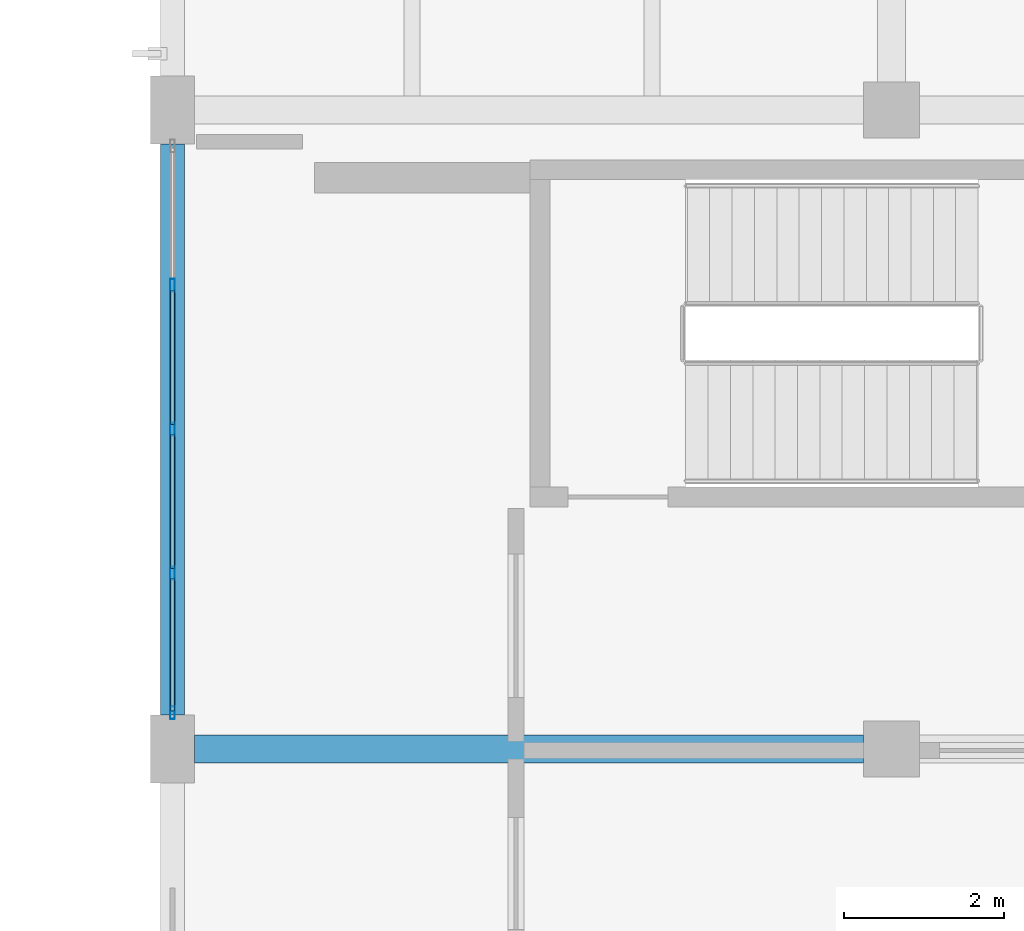
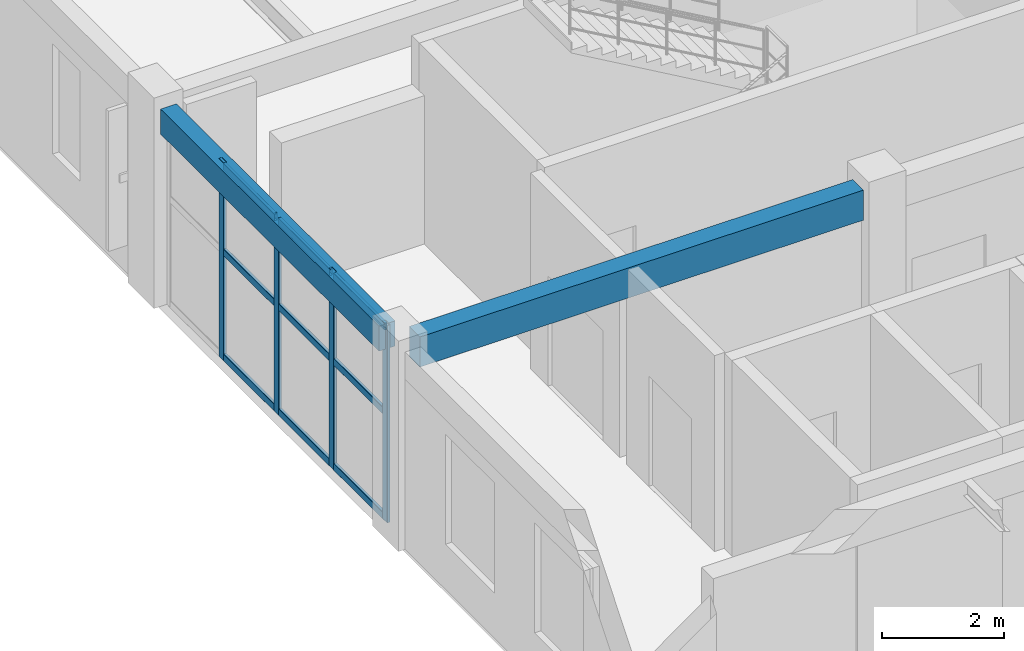
# One storey, part 35 of 71: 13 members, 2 beams, 1 element without a shape of its own.
"""IFC4 building model written with IfcOpenShell, lengths in metres."""

from ifc_helpers import new_model, si_unit, derived_unit, direction, frame, origin, origin_2d, place, context, subcontext, project, spatial, rectangle, hollow_rectangle, extrude, material, material_profile, profile_set, type_object, element, aggregate, save


model = new_model("IFC4")

# Units and contexts
model_context = context("Model", 3, precision=1e-05, world=origin(), true_north=direction((0.0, 1.0)))
body_context = subcontext(model_context, "Body", "Model", "MODEL_VIEW")
ifc_project = project(units=[si_unit("LENGTHUNIT", "METRE"), si_unit("AREAUNIT", "SQUARE_METRE"), si_unit("VOLUMEUNIT", "CUBIC_METRE"), si_unit("PLANEANGLEUNIT", "RADIAN"), si_unit("MASSUNIT", "GRAM", prefix="KILO"), derived_unit("THERMALTRANSMITTANCEUNIT", [(si_unit("MASSUNIT", "GRAM", prefix="KILO"), 1), (si_unit("TIMEUNIT", "SECOND"), -3), (si_unit("THERMODYNAMICTEMPERATUREUNIT", "KELVIN"), -1)])], contexts=[model_context])

# Site, building, storey
site_placement = place(None, origin())
site = spatial("IfcSite", under=ifc_project, at=site_placement, CompositionType="ELEMENT")
building_placement = place(site_placement, origin())
building = spatial("IfcBuilding", under=site, at=building_placement, Name="Zhenchuan Archway Interchange", CompositionType="ELEMENT")
storey_placement = place(building_placement, frame((0.0, 0.0, 18.60009765625)))
storey = spatial("IfcBuildingStorey", under=building, at=storey_placement, Name="L04", CompositionType="ELEMENT", Elevation=18.60009765625)

# Beam
ifc_material_1 = material(Name="Concrete C40", Category="concrete")
ifc_material_profile_1 = material_profile(ifc_material_1, rectangle(XDim=0.35009765625, YDim=0.60009765625, at=origin_2d()), Name="RC 350x600")
ifc_profile_set_1 = profile_set([ifc_material_profile_1], Name="Concrete C40")
beam_type_1 = type_object("IfcBeamType", Name="BM_RC_350x600", PredefinedType="BEAM", material=ifc_profile_set_1)
beam_1_placement = place(storey_placement, frame((144.27490234375, 56.0, 3.639892578125), z_axis=(1.0, 0.0, 0.0), x_axis=(0.0, 1.0, 0.0)))
element("IfcBeam", 1, at=beam_1_placement, inside=storey, type_object=beam_type_1, Name="Beam H:17-18 (L04)", PredefinedType="BEAM", context=body_context, shape_type="SweptSolid", body=[
    extrude(rectangle(XDim=0.35009765625, YDim=0.60009765625, at=origin_2d()), origin(), (0.0, 0.0, 1.0), 8.375),
])

# Curtain wall, members
ifc_material_2 = material(Name="Anodised Aluminium", Category="aluminium")
curtain_wall_type = type_object("IfcCurtainWallType", Name="CW_UNIT_4", PredefinedType="NOTDEFINED", material=ifc_material_2)
curtain_wall_placement = place(storey_placement, origin())
curtain_wall = element("IfcCurtainWall", 2, at=curtain_wall_placement, inside=storey, type_object=curtain_wall_type, Name="Unitised curtain wall CW:L04:191", PredefinedType="NOTDEFINED")
ifc_material_profile_2 = material_profile(ifc_material_2, hollow_rectangle(XDim=0.06005859375, YDim=0.159912109375, WallThickness=0.00390625, InnerFilletRadius=0.00390625, OuterFilletRadius=0.008056640625, at=origin_2d()), Name="ALU 160x60x4")
ifc_profile_set_2 = profile_set([ifc_material_profile_2], Name="Anodised Aluminium")
member_type_1 = type_object("IfcMemberType", Name="CW_MUL_150", PredefinedType="MULLION", material=ifc_profile_set_2)
member_1_placement = place(storey_placement, frame((144.0, 56.452880859375, 0.0), z_axis=(0.0, 0.0, 1.0), x_axis=(1.0, 0.0, 0.0)))
member_1 = element("IfcMember", 3, at=member_1_placement, type_object=member_type_1, Name="CW:L04:191 mullion 0", PredefinedType="MULLION", context=body_context, shape_type="SweptSolid", body=[
    extrude(hollow_rectangle(XDim=0.06005859375, YDim=0.159912109375, WallThickness=0.00390625, InnerFilletRadius=0.00390625, OuterFilletRadius=0.008056640625, at=origin_2d()), origin(), (0.0, 0.0, 1.0), 3.93994140625),
])
member_2_placement = place(storey_placement, frame((144.0, 58.196533203125, 0.0), z_axis=(0.0, 0.0, 1.0), x_axis=(1.0, 0.0, 0.0)))
member_2 = element("IfcMember", 4, at=member_2_placement, type_object=member_type_1, Name="CW:L04:191 mullion 1", PredefinedType="MULLION", context=body_context, shape_type="SweptSolid", body=[
    extrude(hollow_rectangle(XDim=0.06005859375, YDim=0.159912109375, WallThickness=0.00390625, InnerFilletRadius=0.00390625, OuterFilletRadius=0.008056640625, at=origin_2d()), origin(), (0.0, 0.0, 1.0), 3.93994140625),
])
member_3_placement = place(storey_placement, frame((144.0, 60.0, 0.0), z_axis=(0.0, 0.0, 1.0), x_axis=(1.0, 0.0, 0.0)))
member_3 = element("IfcMember", 5, at=member_3_placement, type_object=member_type_1, Name="CW:L04:191 mullion 2", PredefinedType="MULLION", context=body_context, shape_type="SweptSolid", body=[
    extrude(hollow_rectangle(XDim=0.06005859375, YDim=0.159912109375, WallThickness=0.00390625, InnerFilletRadius=0.00390625, OuterFilletRadius=0.008056640625, at=origin_2d()), origin(), (0.0, 0.0, 1.0), 3.93994140625),
])
member_4_placement = place(storey_placement, frame((144.0, 61.803466796875, 0.0), z_axis=(0.0, 0.0, 1.0), x_axis=(1.0, 0.0, 0.0)))
member_4 = element("IfcMember", 6, at=member_4_placement, type_object=member_type_1, Name="CW:L04:191 mullion 3", PredefinedType="MULLION", context=body_context, shape_type="SweptSolid", body=[
    extrude(hollow_rectangle(XDim=0.06005859375, YDim=0.159912109375, WallThickness=0.00390625, InnerFilletRadius=0.00390625, OuterFilletRadius=0.008056640625, at=origin_2d()), origin(), (0.0, 0.0, 1.0), 3.93994140625),
])
ifc_material_profile_3 = material_profile(ifc_material_2, hollow_rectangle(XDim=0.06005859375, YDim=0.139892578125, WallThickness=0.00341796875, InnerFilletRadius=0.00341796875, OuterFilletRadius=0.007080078125, at=origin_2d()), Name="ALU 140x60x3.5")
ifc_profile_set_3 = profile_set([ifc_material_profile_3], Name="Anodised Aluminium")
member_type_2 = type_object("IfcMemberType", Name="CW_TRN_140", PredefinedType="USERDEFINED", material=ifc_profile_set_3)
member_5_placement = place(storey_placement, frame((144.0, 56.472900390625, 0.059814453125), z_axis=(0.0, 1.0, 0.0), x_axis=(-1.0, 0.0, 0.0)))
member_5 = element("IfcMember", 7, at=member_5_placement, type_object=member_type_2, Name="CW:L04:191 transom 0-1", ObjectType="TRANSOM", PredefinedType="USERDEFINED", context=body_context, shape_type="SweptSolid", body=[
    extrude(hollow_rectangle(XDim=0.06005859375, YDim=0.139892578125, WallThickness=0.00341796875, InnerFilletRadius=0.00341796875, OuterFilletRadius=0.007080078125, at=origin_2d()), origin(), (0.0, 0.0, 1.0), 1.66357421875),
])
member_6_placement = place(storey_placement, frame((144.0, 56.472900390625, 2.156005859375), z_axis=(0.0, 1.0, 0.0), x_axis=(-1.0, 0.0, 0.0)))
member_6 = element("IfcMember", 8, at=member_6_placement, type_object=member_type_2, Name="CW:L04:191 transom 0-2", ObjectType="TRANSOM", PredefinedType="USERDEFINED", context=body_context, shape_type="SweptSolid", body=[
    extrude(hollow_rectangle(XDim=0.06005859375, YDim=0.139892578125, WallThickness=0.00341796875, InnerFilletRadius=0.00341796875, OuterFilletRadius=0.007080078125, at=origin_2d()), origin(), (0.0, 0.0, 1.0), 1.66357421875),
])
member_7_placement = place(storey_placement, frame((144.0, 56.472900390625, 3.85986328125), z_axis=(0.0, 1.0, 0.0), x_axis=(-1.0, 0.0, 0.0)))
member_7 = element("IfcMember", 9, at=member_7_placement, type_object=member_type_2, Name="CW:L04:191 transom 0-3", ObjectType="TRANSOM", PredefinedType="USERDEFINED", context=body_context, shape_type="SweptSolid", body=[
    extrude(hollow_rectangle(XDim=0.06005859375, YDim=0.139892578125, WallThickness=0.00341796875, InnerFilletRadius=0.00341796875, OuterFilletRadius=0.007080078125, at=origin_2d()), origin(), (0.0, 0.0, 1.0), 1.66357421875),
])
member_8_placement = place(storey_placement, frame((144.0, 58.256591796875, 0.059814453125), z_axis=(0.0, 1.0, 0.0), x_axis=(-1.0, 0.0, 0.0)))
member_8 = element("IfcMember", 10, at=member_8_placement, type_object=member_type_2, Name="CW:L04:191 transom 1-1", ObjectType="TRANSOM", PredefinedType="USERDEFINED", context=body_context, shape_type="SweptSolid", body=[
    extrude(hollow_rectangle(XDim=0.06005859375, YDim=0.139892578125, WallThickness=0.00341796875, InnerFilletRadius=0.00341796875, OuterFilletRadius=0.007080078125, at=origin_2d()), origin(), (0.0, 0.0, 1.0), 1.683349609375),
])
member_9_placement = place(storey_placement, frame((144.0, 58.256591796875, 2.156005859375), z_axis=(0.0, 1.0, 0.0), x_axis=(-1.0, 0.0, 0.0)))
member_9 = element("IfcMember", 11, at=member_9_placement, type_object=member_type_2, Name="CW:L04:191 transom 1-2", ObjectType="TRANSOM", PredefinedType="USERDEFINED", context=body_context, shape_type="SweptSolid", body=[
    extrude(hollow_rectangle(XDim=0.06005859375, YDim=0.139892578125, WallThickness=0.00341796875, InnerFilletRadius=0.00341796875, OuterFilletRadius=0.007080078125, at=origin_2d()), origin(), (0.0, 0.0, 1.0), 1.683349609375),
])
member_10_placement = place(storey_placement, frame((144.0, 58.256591796875, 3.85986328125), z_axis=(0.0, 1.0, 0.0), x_axis=(-1.0, 0.0, 0.0)))
member_10 = element("IfcMember", 12, at=member_10_placement, type_object=member_type_2, Name="CW:L04:191 transom 1-3", ObjectType="TRANSOM", PredefinedType="USERDEFINED", context=body_context, shape_type="SweptSolid", body=[
    extrude(hollow_rectangle(XDim=0.06005859375, YDim=0.139892578125, WallThickness=0.00341796875, InnerFilletRadius=0.00341796875, OuterFilletRadius=0.007080078125, at=origin_2d()), origin(), (0.0, 0.0, 1.0), 1.683349609375),
])
member_11_placement = place(storey_placement, frame((144.0, 60.06005859375, 0.059814453125), z_axis=(0.0, 1.0, 0.0), x_axis=(-1.0, 0.0, 0.0)))
member_11 = element("IfcMember", 13, at=member_11_placement, type_object=member_type_2, Name="CW:L04:191 transom 2-1", ObjectType="TRANSOM", PredefinedType="USERDEFINED", context=body_context, shape_type="SweptSolid", body=[
    extrude(hollow_rectangle(XDim=0.06005859375, YDim=0.139892578125, WallThickness=0.00341796875, InnerFilletRadius=0.00341796875, OuterFilletRadius=0.007080078125, at=origin_2d()), origin(), (0.0, 0.0, 1.0), 1.683349609375),
])
member_12_placement = place(storey_placement, frame((144.0, 60.06005859375, 2.156005859375), z_axis=(0.0, 1.0, 0.0), x_axis=(-1.0, 0.0, 0.0)))
member_12 = element("IfcMember", 14, at=member_12_placement, type_object=member_type_2, Name="CW:L04:191 transom 2-2", ObjectType="TRANSOM", PredefinedType="USERDEFINED", context=body_context, shape_type="SweptSolid", body=[
    extrude(hollow_rectangle(XDim=0.06005859375, YDim=0.139892578125, WallThickness=0.00341796875, InnerFilletRadius=0.00341796875, OuterFilletRadius=0.007080078125, at=origin_2d()), origin(), (0.0, 0.0, 1.0), 1.683349609375),
])
member_13_placement = place(storey_placement, frame((144.0, 60.06005859375, 3.85986328125), z_axis=(0.0, 1.0, 0.0), x_axis=(-1.0, 0.0, 0.0)))
member_13 = element("IfcMember", 15, at=member_13_placement, type_object=member_type_2, Name="CW:L04:191 transom 2-3", ObjectType="TRANSOM", PredefinedType="USERDEFINED", context=body_context, shape_type="SweptSolid", body=[
    extrude(hollow_rectangle(XDim=0.06005859375, YDim=0.139892578125, WallThickness=0.00341796875, InnerFilletRadius=0.00341796875, OuterFilletRadius=0.007080078125, at=origin_2d()), origin(), (0.0, 0.0, 1.0), 1.683349609375),
])
aggregate(curtain_wall, [member_1, member_2, member_3, member_4, member_5, member_6, member_7, member_8, member_9, member_10, member_11, member_12, member_13])

# Beam
ifc_material_profile_4 = material_profile(ifc_material_1, rectangle(XDim=0.300048828125, YDim=0.5, at=origin_2d()), Name="RC 300x500")
ifc_profile_set_4 = profile_set([ifc_material_profile_4], Name="Concrete C40")
beam_type_2 = type_object("IfcBeamType", Name="SP_RC_300x500", PredefinedType="SPANDREL", material=ifc_profile_set_4)
beam_2_placement = place(storey_placement, frame((144.0, 56.425048828125, 3.68994140625), z_axis=(0.0, 1.0, 0.0), x_axis=(-1.0, 0.0, 0.0)))
element("IfcBeam", 16, at=beam_2_placement, inside=storey, type_object=beam_type_2, Name="Beam 17:H-J (L04)", PredefinedType="SPANDREL", context=body_context, shape_type="SweptSolid", body=[
    extrude(rectangle(XDim=0.300048828125, YDim=0.5, at=origin_2d()), origin(), (0.0, 0.0, 1.0), 7.14990234375),
])

save(model, "model.ifc")
